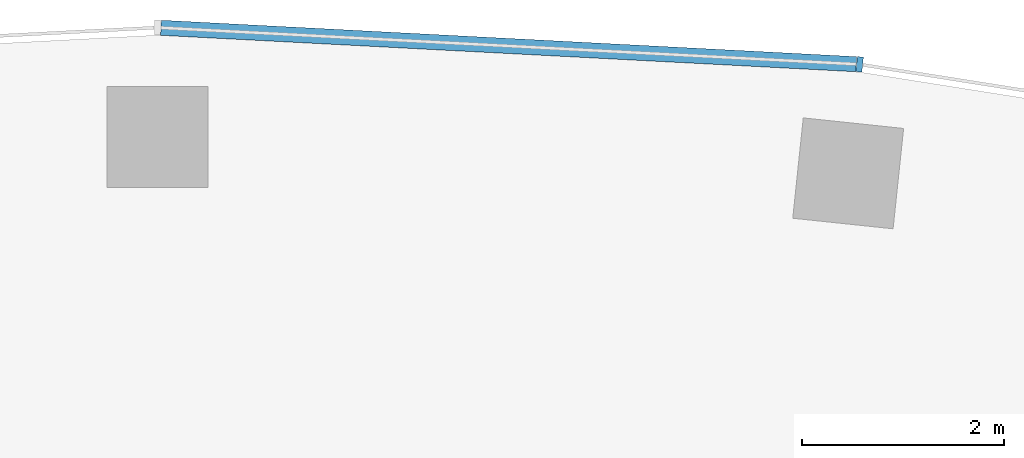
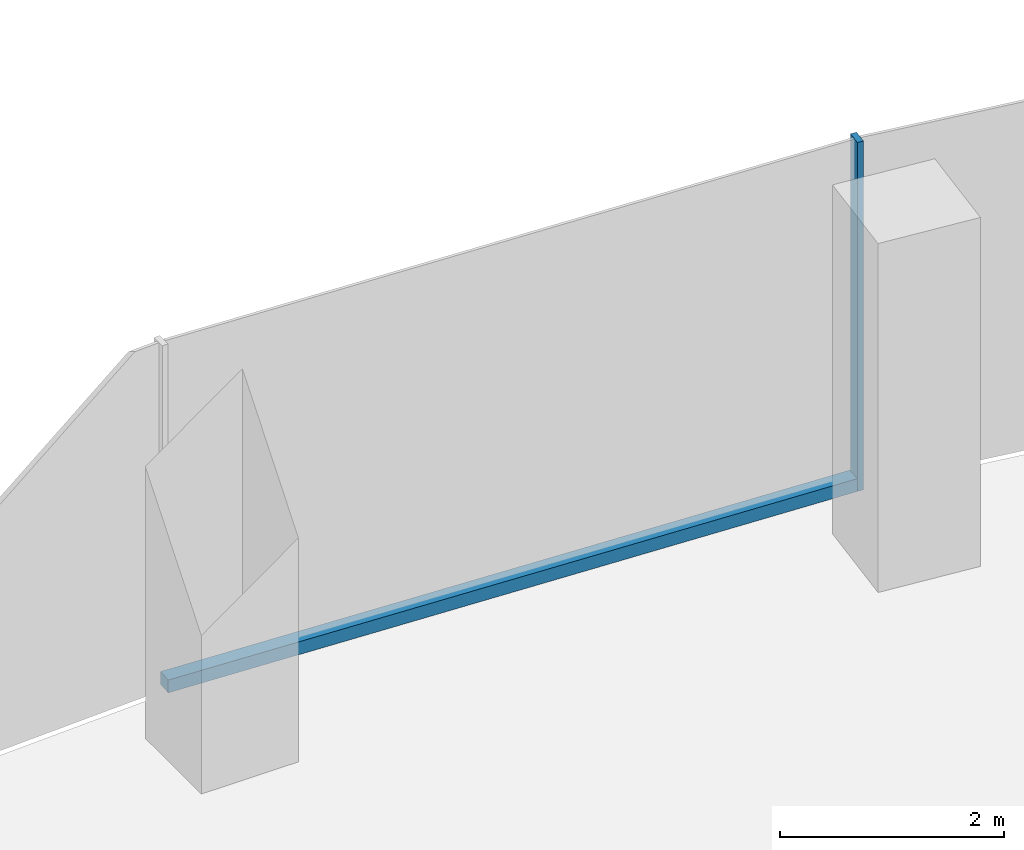
# One storey, part 7 of 20: 2 members, 1 element without a shape of its own.
"""IFC4 building model written with IfcOpenShell, lengths in metres."""

from ifc_helpers import new_model, si_unit, direction, frame, origin, origin_2d, place, context, subcontext, project, spatial, rectangle, extrude, material, layer, layer_set, material_profile, profile_set, type_object, element, aggregate, save


model = new_model("IFC4")

# Units and contexts
model_context = context("Model", 3, precision=1e-05, world=origin(), true_north=direction((0.0, 1.0)))
body_context = subcontext(model_context, "Body", "Model", "MODEL_VIEW")
ifc_project = project(units=[si_unit("LENGTHUNIT", "METRE"), si_unit("AREAUNIT", "SQUARE_METRE"), si_unit("VOLUMEUNIT", "CUBIC_METRE"), si_unit("PLANEANGLEUNIT", "RADIAN"), si_unit("MASSUNIT", "GRAM", prefix="KILO")], contexts=[model_context])

# Site, building, storey
site_placement = place(None, origin())
site = spatial("IfcSite", under=ifc_project, at=site_placement, CompositionType="ELEMENT")
building_placement = place(site_placement, origin())
building = spatial("IfcBuilding", under=site, at=building_placement, Name="Stone Belt Terrace Tower", CompositionType="ELEMENT")
storey_placement = place(building_placement, frame((0.0, 0.0, 174.39990234375)))
storey = spatial("IfcBuildingStorey", under=building, at=storey_placement, Name="L42", CompositionType="ELEMENT", Elevation=174.39990234375)

# Curtain wall, members
ifc_material = material(Name="Aluminium 6063-T6 anodised frame", Category="aluminium")
ifc_layer = layer(ifc_material, 0.14990234375)
ifc_layer_set = layer_set([ifc_layer], Name="CW-A unitised convex-face curtain wall")
curtain_wall_type = type_object("IfcCurtainWallType", Name="CW-A unitised convex-face curtain wall", PredefinedType="NOTDEFINED", material=ifc_layer_set)
curtain_wall_placement = place(storey_placement, origin())
curtain_wall = element("IfcCurtainWall", 1, at=curtain_wall_placement, inside=storey, type_object=curtain_wall_type, Name="CW-A convex face L42", PredefinedType="NOTDEFINED")
ifc_material_profile_1 = material_profile(ifc_material, rectangle(XDim=0.14990234375, YDim=0.06005859375, at=origin_2d()), Name="Aluminium 6063-T6 60x150")
ifc_profile_set_1 = profile_set([ifc_material_profile_1], Name="Aluminium 6063-T6 anodised frame")
member_type_1 = type_object("IfcMemberType", Name="CW-A mullion 60 x 150", PredefinedType="MULLION", material=ifc_profile_set_1)
member_1_placement = place(storey_placement, frame((6.958984375, 66.21044921875, 0.0), z_axis=(0.0, 0.0, 1.0), x_axis=(-0.104528463268, -0.994521895368, 0.0)))
member_1 = element("IfcMember", 2, at=member_1_placement, type_object=member_type_1, Name="CW-A mullion 7", PredefinedType="MULLION", context=body_context, shape_type="SweptSolid", body=[
    extrude(rectangle(XDim=0.14990234375, YDim=0.06005859375, at=origin_2d()), origin(), (0.0, 0.0, 1.0), 3.800048828125),
])
ifc_material_profile_2 = material_profile(ifc_material, rectangle(XDim=0.14990234375, YDim=0.139892578125, at=origin_2d()), Name="Aluminium 6063-T6 150x140")
ifc_profile_set_2 = profile_set([ifc_material_profile_2], Name="Aluminium 6063-T6 anodised frame")
member_type_2 = type_object("IfcMemberType", Name="CW-A transom 140 x 150", PredefinedType="USERDEFINED", material=ifc_profile_set_2)
member_2_placement = place(storey_placement, frame((6.925048828125, 66.212158203125, 0.070068359375), z_axis=(-0.998630019135, 0.052326712899, 0.0), x_axis=(-0.052326712899, -0.998630019135, 0.0)))
member_2 = element("IfcMember", 3, at=member_2_placement, type_object=member_type_2, Name="CW-A transom 7.1", ObjectType="TRANSOM", PredefinedType="USERDEFINED", context=body_context, shape_type="SweptSolid", body=[
    extrude(rectangle(XDim=0.14990234375, YDim=0.139892578125, at=origin_2d()), origin(), (0.0, 0.0, 1.0), 6.900634765625),
])
aggregate(curtain_wall, [member_1, member_2])

save(model, "model.ifc")
